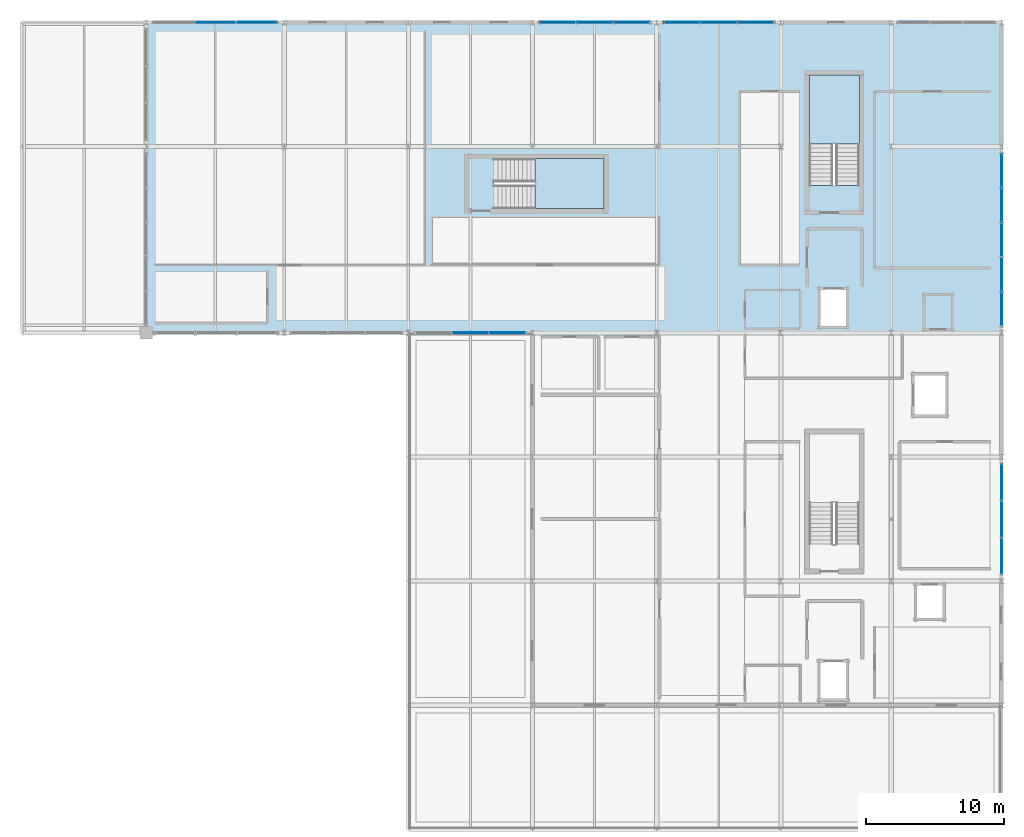
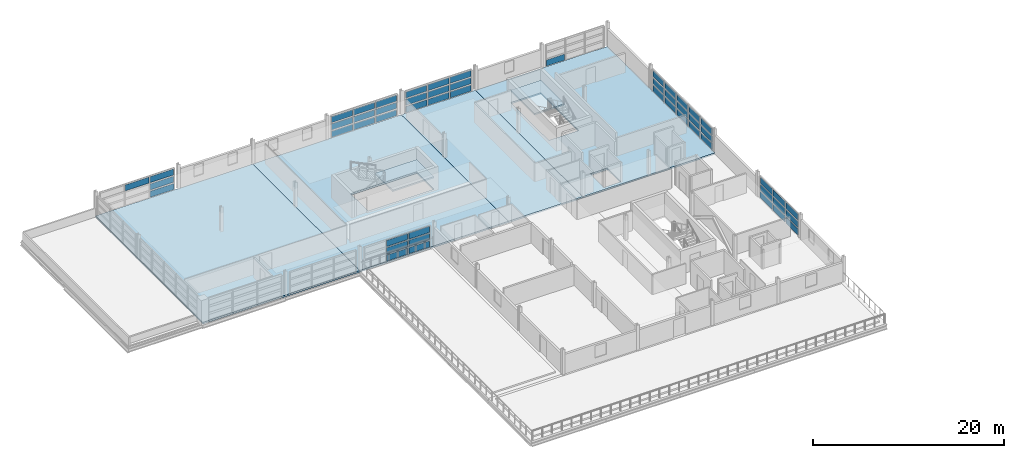
# One storey, part 20 of 30: 53 plates, 6 slabs, 9 elements without a shape of their own.
"""IFC4 building model written with IfcOpenShell, lengths in metres."""

from ifc_helpers import new_model, si_unit, direction, frame, origin, origin_2d, place, context, subcontext, project, spatial, polyline, rectangle, outline, extrude, material, layer, layer_set, type_object, element, aggregate, save


model = new_model("IFC4")

# Units and contexts
model_context = context("Model", 3, precision=1e-05, world=origin(), true_north=direction((0.0, 1.0)))
body_context = subcontext(model_context, "Body", "Model", "MODEL_VIEW")
ifc_project = project(units=[si_unit("LENGTHUNIT", "METRE"), si_unit("AREAUNIT", "SQUARE_METRE"), si_unit("VOLUMEUNIT", "CUBIC_METRE"), si_unit("PLANEANGLEUNIT", "RADIAN"), si_unit("MASSUNIT", "GRAM", prefix="KILO")], contexts=[model_context])

# Site, building, storey
site_placement = place(None, origin())
site = spatial("IfcSite", under=ifc_project, at=site_placement, CompositionType="ELEMENT")
building_placement = place(site_placement, origin())
building = spatial("IfcBuilding", under=site, at=building_placement, Name="Chuanluo Vaults Station", CompositionType="ELEMENT")
storey_placement = place(building_placement, frame((0.0, 0.0, 17.60009765625)))
storey = spatial("IfcBuildingStorey", under=building, at=storey_placement, Name="L04", CompositionType="ELEMENT", Elevation=17.60009765625)

# Curtain wall, plates
ifc_material_1 = material(Name="Anodised aluminium 6063-T6", Category="aluminium")
curtain_wall_type_1 = type_object("IfcCurtainWallType", Name="CW-SYS-11", PredefinedType="NOTDEFINED", material=ifc_material_1)
curtain_wall_1_placement = place(storey_placement, origin())
curtain_wall_1 = element("IfcCurtainWall", 1, at=curtain_wall_1_placement, inside=storey, type_object=curtain_wall_type_1, Name="Operations L04 facade CW", PredefinedType="NOTDEFINED")
ifc_material_2 = material(Name="Ceramic-fritted spandrel glass", Category="glass")
ifc_layer_1 = layer(ifc_material_2, 0.06396484375)
ifc_layer_set_1 = layer_set([ifc_layer_1], Name="Ceramic-fritted spandrel glass")
plate_type_1 = type_object("IfcPlateType", Name="CWP-SPN-42", PredefinedType="SHEET", material=ifc_layer_set_1)
plate_1_placement = place(storey_placement, frame((152.183349609375, 103.5, 0.080078125), z_axis=(0.0, 0.0, 1.0), x_axis=(-1.0, 0.0, 0.0)))
plate_1 = element("IfcPlate", 2, at=plate_1_placement, type_object=plate_type_1, Name="Operations L04 facade CW glazed panel 1.1", PredefinedType="SHEET", context=body_context, shape_type="SweptSolid", body=[
    extrude(rectangle(XDim=2.523193359375, YDim=0.06396484375, at=origin_2d()), origin(), (0.0, 0.0, 1.0), 0.773193359375),
])
plate_2_placement = place(storey_placement, frame((149.5, 103.5, 0.080078125), z_axis=(0.0, 0.0, 1.0), x_axis=(-1.0, 0.0, 0.0)))
plate_2 = element("IfcPlate", 3, at=plate_2_placement, type_object=plate_type_1, Name="Operations L04 facade CW glazed panel 2.1", PredefinedType="SHEET", context=body_context, shape_type="SweptSolid", body=[
    extrude(rectangle(XDim=2.523193359375, YDim=0.06396484375, at=origin_2d()), origin(), (0.0, 0.0, 1.0), 0.773193359375),
])

ifc_material_3 = material(Name="Anodised aluminium 6063-T6", Category="aluminium")
curtain_wall_type_2 = type_object("IfcCurtainWallType", Name="CW-SYS-17", PredefinedType="NOTDEFINED", material=ifc_material_3)
curtain_wall_2_placement = place(storey_placement, origin())
curtain_wall_2 = element("IfcCurtainWall", 4, at=curtain_wall_2_placement, inside=storey, type_object=curtain_wall_type_2, Name="Operations L04 facade CW", PredefinedType="NOTDEFINED")
plate_3_placement = place(storey_placement, frame((155.816650390625, 126.0, 0.080078125), z_axis=(0.0, 0.0, 1.0), x_axis=(1.0, 0.0, 0.0)))
plate_3 = element("IfcPlate", 5, at=plate_3_placement, type_object=plate_type_1, Name="Operations L04 facade CW glazed panel 1.1", PredefinedType="SHEET", context=body_context, shape_type="SweptSolid", body=[
    extrude(rectangle(XDim=2.523193359375, YDim=0.06396484375, at=origin_2d()), origin(), (0.0, 0.0, 1.0), 0.773193359375),
])
plate_4_placement = place(storey_placement, frame((158.5, 126.0, 0.080078125), z_axis=(0.0, 0.0, 1.0), x_axis=(1.0, 0.0, 0.0)))
plate_4 = element("IfcPlate", 6, at=plate_4_placement, type_object=plate_type_1, Name="Operations L04 facade CW glazed panel 2.1", PredefinedType="SHEET", context=body_context, shape_type="SweptSolid", body=[
    extrude(rectangle(XDim=2.523193359375, YDim=0.06396484375, at=origin_2d()), origin(), (0.0, 0.0, 1.0), 0.773193359375),
])
plate_5_placement = place(storey_placement, frame((161.183349609375, 126.0, 0.080078125), z_axis=(0.0, 0.0, 1.0), x_axis=(1.0, 0.0, 0.0)))
plate_5 = element("IfcPlate", 7, at=plate_5_placement, type_object=plate_type_1, Name="Operations L04 facade CW glazed panel 3.1", PredefinedType="SHEET", context=body_context, shape_type="SweptSolid", body=[
    extrude(rectangle(XDim=2.523193359375, YDim=0.06396484375, at=origin_2d()), origin(), (0.0, 0.0, 1.0), 0.773193359375),
])

# Curtain wall, plate
ifc_material_4 = material(Name="Anodised aluminium 6063-T6", Category="aluminium")
curtain_wall_type_3 = type_object("IfcCurtainWallType", Name="CW-SYS-19", PredefinedType="NOTDEFINED", material=ifc_material_4)
curtain_wall_3_placement = place(storey_placement, origin())
curtain_wall_3 = element("IfcCurtainWall", 8, at=curtain_wall_3_placement, inside=storey, type_object=curtain_wall_type_3, Name="Operations L04 facade CW", PredefinedType="NOTDEFINED")
plate_6_placement = place(storey_placement, frame((181.64990234375, 126.0, 0.080078125), z_axis=(0.0, 0.0, 1.0), x_axis=(1.0, 0.0, 0.0)))
plate_6 = element("IfcPlate", 9, at=plate_6_placement, type_object=plate_type_1, Name="Operations L04 facade CW glazed panel 1.1", PredefinedType="SHEET", context=body_context, shape_type="SweptSolid", body=[
    extrude(rectangle(XDim=2.18994140625, YDim=0.06396484375, at=origin_2d()), origin(), (0.0, 0.0, 1.0), 0.773193359375),
])
aggregate(curtain_wall_3, [plate_6])

# Curtain wall, plates
ifc_material_5 = material(Name="Anodised aluminium 6063-T6", Category="aluminium")
curtain_wall_type_4 = type_object("IfcCurtainWallType", Name="CW-SYS-21", PredefinedType="NOTDEFINED", material=ifc_material_5)
curtain_wall_4_placement = place(storey_placement, origin())
curtain_wall_4 = element("IfcCurtainWall", 10, at=curtain_wall_4_placement, inside=storey, type_object=curtain_wall_type_4, Name="Operations L04 facade CW", PredefinedType="NOTDEFINED")
plate_7_placement = place(storey_placement, frame((188.0, 115.27001953125, 0.080078125), z_axis=(0.0, 0.0, 1.0), x_axis=(0.0, -1.0, 0.0)))
plate_7 = element("IfcPlate", 11, at=plate_7_placement, type_object=plate_type_1, Name="Operations L04 facade CW glazed panel 1.1", PredefinedType="SHEET", context=body_context, shape_type="SweptSolid", body=[
    extrude(rectangle(XDim=2.35009765625, YDim=0.06396484375, at=origin_2d()), origin(), (0.0, 0.0, 1.0), 0.773193359375),
])
plate_8_placement = place(storey_placement, frame((188.0, 112.760009765625, 0.080078125), z_axis=(0.0, 0.0, 1.0), x_axis=(0.0, -1.0, 0.0)))
plate_8 = element("IfcPlate", 12, at=plate_8_placement, type_object=plate_type_1, Name="Operations L04 facade CW glazed panel 2.1", PredefinedType="SHEET", context=body_context, shape_type="SweptSolid", body=[
    extrude(rectangle(XDim=2.35009765625, YDim=0.06396484375, at=origin_2d()), origin(), (0.0, 0.0, 1.0), 0.773193359375),
])
plate_9_placement = place(storey_placement, frame((188.0, 110.25, 0.080078125), z_axis=(0.0, 0.0, 1.0), x_axis=(0.0, -1.0, 0.0)))
plate_9 = element("IfcPlate", 13, at=plate_9_placement, type_object=plate_type_1, Name="Operations L04 facade CW glazed panel 3.1", PredefinedType="SHEET", context=body_context, shape_type="SweptSolid", body=[
    extrude(rectangle(XDim=2.35009765625, YDim=0.06396484375, at=origin_2d()), origin(), (0.0, 0.0, 1.0), 0.773193359375),
])
plate_10_placement = place(storey_placement, frame((188.0, 107.739990234375, 0.080078125), z_axis=(0.0, 0.0, 1.0), x_axis=(0.0, -1.0, 0.0)))
plate_10 = element("IfcPlate", 14, at=plate_10_placement, type_object=plate_type_1, Name="Operations L04 facade CW glazed panel 4.1", PredefinedType="SHEET", context=body_context, shape_type="SweptSolid", body=[
    extrude(rectangle(XDim=2.35009765625, YDim=0.06396484375, at=origin_2d()), origin(), (0.0, 0.0, 1.0), 0.773193359375),
])
plate_11_placement = place(storey_placement, frame((188.0, 105.22998046875, 0.080078125), z_axis=(0.0, 0.0, 1.0), x_axis=(0.0, -1.0, 0.0)))
plate_11 = element("IfcPlate", 15, at=plate_11_placement, type_object=plate_type_1, Name="Operations L04 facade CW glazed panel 5.1", PredefinedType="SHEET", context=body_context, shape_type="SweptSolid", body=[
    extrude(rectangle(XDim=2.35009765625, YDim=0.06396484375, at=origin_2d()), origin(), (0.0, 0.0, 1.0), 0.773193359375),
])

# Curtain wall, plate
ifc_material_6 = material(Name="Anodised aluminium 6063-T6", Category="aluminium")
curtain_wall_type_5 = type_object("IfcCurtainWallType", Name="CW-SYS-16", PredefinedType="NOTDEFINED", material=ifc_material_6)
curtain_wall_5_placement = place(storey_placement, origin())
curtain_wall_5 = element("IfcCurtainWall", 16, at=curtain_wall_5_placement, inside=storey, type_object=curtain_wall_type_5, Name="Operations L04 facade CW", PredefinedType="NOTDEFINED")
ifc_material_7 = material(Name="Ceramic-fritted spandrel glass", Category="glass")
ifc_layer_2 = layer(ifc_material_7, 0.070068359375)
ifc_layer_set_2 = layer_set([ifc_layer_2], Name="Ceramic-fritted spandrel glass")
plate_type_2 = type_object("IfcPlateType", Name="CWP-SPN-50", PredefinedType="SHEET", material=ifc_layer_set_2)
plate_12_placement = place(storey_placement, frame((134.0166015625, 126.0, 0.080078125), z_axis=(0.0, 0.0, 1.0), x_axis=(1.0, 0.0, 0.0)))
plate_12 = element("IfcPlate", 17, at=plate_12_placement, type_object=plate_type_2, Name="Operations L04 facade CW glazed panel 3.1", PredefinedType="SHEET", context=body_context, shape_type="SweptSolid", body=[
    extrude(rectangle(XDim=2.856689453125, YDim=0.070068359375, at=origin_2d()), origin(), (0.0, 0.0, 1.0), 0.773193359375),
])

# Curtain wall, plates
ifc_material_8 = material(Name="Anodised aluminium 6063-T6", Category="aluminium")
curtain_wall_type_6 = type_object("IfcCurtainWallType", Name="CW-SYS-18", PredefinedType="NOTDEFINED", material=ifc_material_8)
curtain_wall_6_placement = place(storey_placement, origin())
curtain_wall_6 = element("IfcCurtainWall", 18, at=curtain_wall_6_placement, inside=storey, type_object=curtain_wall_type_6, Name="Operations L04 facade CW", PredefinedType="NOTDEFINED")
plate_13_placement = place(storey_placement, frame((164.816650390625, 126.0, 0.080078125), z_axis=(0.0, 0.0, 1.0), x_axis=(1.0, 0.0, 0.0)))
plate_13 = element("IfcPlate", 19, at=plate_13_placement, type_object=plate_type_2, Name="Operations L04 facade CW glazed panel 1.1", PredefinedType="SHEET", context=body_context, shape_type="SweptSolid", body=[
    extrude(rectangle(XDim=2.523193359375, YDim=0.070068359375, at=origin_2d()), origin(), (0.0, 0.0, 1.0), 0.773193359375),
])
plate_14_placement = place(storey_placement, frame((167.5, 126.0, 0.080078125), z_axis=(0.0, 0.0, 1.0), x_axis=(1.0, 0.0, 0.0)))
plate_14 = element("IfcPlate", 20, at=plate_14_placement, type_object=plate_type_2, Name="Operations L04 facade CW glazed panel 2.1", PredefinedType="SHEET", context=body_context, shape_type="SweptSolid", body=[
    extrude(rectangle(XDim=2.523193359375, YDim=0.070068359375, at=origin_2d()), origin(), (0.0, 0.0, 1.0), 0.773193359375),
])
plate_15_placement = place(storey_placement, frame((170.183349609375, 126.0, 0.080078125), z_axis=(0.0, 0.0, 1.0), x_axis=(1.0, 0.0, 0.0)))
plate_15 = element("IfcPlate", 21, at=plate_15_placement, type_object=plate_type_2, Name="Operations L04 facade CW glazed panel 3.1", PredefinedType="SHEET", context=body_context, shape_type="SweptSolid", body=[
    extrude(rectangle(XDim=2.523193359375, YDim=0.070068359375, at=origin_2d()), origin(), (0.0, 0.0, 1.0), 0.773193359375),
])

ifc_material_9 = material(Name="Anodised aluminium 6063-T6", Category="aluminium")
curtain_wall_type_7 = type_object("IfcCurtainWallType", Name="CW-SYS-20", PredefinedType="NOTDEFINED", material=ifc_material_9)
curtain_wall_7_placement = place(storey_placement, origin())
curtain_wall_7 = element("IfcCurtainWall", 22, at=curtain_wall_7_placement, inside=storey, type_object=curtain_wall_type_7, Name="Operations L04 facade CW", PredefinedType="NOTDEFINED")
plate_16_placement = place(storey_placement, frame((188.0, 92.683349609375, 0.080078125), z_axis=(0.0, 0.0, 1.0), x_axis=(0.0, -1.0, 0.0)))
plate_16 = element("IfcPlate", 23, at=plate_16_placement, type_object=plate_type_2, Name="Operations L04 facade CW glazed panel 1.1", PredefinedType="SHEET", context=body_context, shape_type="SweptSolid", body=[
    extrude(rectangle(XDim=2.523193359375, YDim=0.070068359375, at=origin_2d()), origin(), (0.0, 0.0, 1.0), 0.773193359375),
])
plate_17_placement = place(storey_placement, frame((188.0, 90.0, 0.080078125), z_axis=(0.0, 0.0, 1.0), x_axis=(0.0, -1.0, 0.0)))
plate_17 = element("IfcPlate", 24, at=plate_17_placement, type_object=plate_type_2, Name="Operations L04 facade CW glazed panel 2.1", PredefinedType="SHEET", context=body_context, shape_type="SweptSolid", body=[
    extrude(rectangle(XDim=2.523193359375, YDim=0.070068359375, at=origin_2d()), origin(), (0.0, 0.0, 1.0), 0.773193359375),
])
plate_18_placement = place(storey_placement, frame((188.0, 87.316650390625, 0.080078125), z_axis=(0.0, 0.0, 1.0), x_axis=(0.0, -1.0, 0.0)))
plate_18 = element("IfcPlate", 25, at=plate_18_placement, type_object=plate_type_2, Name="Operations L04 facade CW glazed panel 3.1", PredefinedType="SHEET", context=body_context, shape_type="SweptSolid", body=[
    extrude(rectangle(XDim=2.523193359375, YDim=0.070068359375, at=origin_2d()), origin(), (0.0, 0.0, 1.0), 0.773193359375),
])

# Plate
ifc_material_10 = material(Name="Double-silver Low-E laminated glass", Category="glass")
ifc_layer_3 = layer(ifc_material_10, 0.0439453125)
ifc_layer_set_3 = layer_set([ifc_layer_3], Name="Double-silver Low-E laminated glass")
plate_type_3 = type_object("IfcPlateType", Name="CWP-VIS-28", PredefinedType="CURTAIN_PANEL", material=ifc_layer_set_3)
plate_19_placement = place(storey_placement, frame((131.0, 126.0, 1.94677734375), z_axis=(0.0, 0.0, 1.0), x_axis=(1.0, 0.0, 0.0)))
plate_19 = element("IfcPlate", 26, at=plate_19_placement, type_object=plate_type_3, Name="Operations L04 facade CW glazed panel 2.3", PredefinedType="CURTAIN_PANEL", context=body_context, shape_type="SweptSolid", body=[
    extrude(rectangle(XDim=2.856689453125, YDim=0.0439453125, at=origin_2d()), origin(), (0.0, 0.0, 1.0), 0.773193359375),
])

plate_20_placement = place(storey_placement, frame((134.0166015625, 126.0, 1.01318359375), z_axis=(0.0, 0.0, 1.0), x_axis=(1.0, 0.0, 0.0)))
plate_20 = element("IfcPlate", 27, at=plate_20_placement, type_object=plate_type_3, Name="Operations L04 facade CW glazed panel 3.2", PredefinedType="CURTAIN_PANEL", context=body_context, shape_type="SweptSolid", body=[
    extrude(rectangle(XDim=2.856689453125, YDim=0.0439453125, at=origin_2d()), origin(), (0.0, 0.0, 1.0), 0.7734375),
])

plate_21_placement = place(storey_placement, frame((134.0166015625, 126.0, 1.94677734375), z_axis=(0.0, 0.0, 1.0), x_axis=(1.0, 0.0, 0.0)))
plate_21 = element("IfcPlate", 28, at=plate_21_placement, type_object=plate_type_3, Name="Operations L04 facade CW glazed panel 3.3", PredefinedType="CURTAIN_PANEL", context=body_context, shape_type="SweptSolid", body=[
    extrude(rectangle(XDim=2.856689453125, YDim=0.0439453125, at=origin_2d()), origin(), (0.0, 0.0, 1.0), 0.773193359375),
])

aggregate(curtain_wall_5, [plate_19, plate_12, plate_20, plate_21])

plate_22_placement = place(storey_placement, frame((188.0, 92.683349609375, 1.01318359375), z_axis=(0.0, 0.0, 1.0), x_axis=(0.0, -1.0, 0.0)))
plate_22 = element("IfcPlate", 29, at=plate_22_placement, type_object=plate_type_3, Name="Operations L04 facade CW glazed panel 1.2", PredefinedType="CURTAIN_PANEL", context=body_context, shape_type="SweptSolid", body=[
    extrude(rectangle(XDim=2.523193359375, YDim=0.0439453125, at=origin_2d()), origin(), (0.0, 0.0, 1.0), 0.7734375),
])

plate_23_placement = place(storey_placement, frame((188.0, 92.683349609375, 1.94677734375), z_axis=(0.0, 0.0, 1.0), x_axis=(0.0, -1.0, 0.0)))
plate_23 = element("IfcPlate", 30, at=plate_23_placement, type_object=plate_type_3, Name="Operations L04 facade CW glazed panel 1.3", PredefinedType="CURTAIN_PANEL", context=body_context, shape_type="SweptSolid", body=[
    extrude(rectangle(XDim=2.523193359375, YDim=0.0439453125, at=origin_2d()), origin(), (0.0, 0.0, 1.0), 0.773193359375),
])

plate_24_placement = place(storey_placement, frame((188.0, 90.0, 1.01318359375), z_axis=(0.0, 0.0, 1.0), x_axis=(0.0, -1.0, 0.0)))
plate_24 = element("IfcPlate", 31, at=plate_24_placement, type_object=plate_type_3, Name="Operations L04 facade CW glazed panel 2.2", PredefinedType="CURTAIN_PANEL", context=body_context, shape_type="SweptSolid", body=[
    extrude(rectangle(XDim=2.523193359375, YDim=0.0439453125, at=origin_2d()), origin(), (0.0, 0.0, 1.0), 0.7734375),
])

plate_25_placement = place(storey_placement, frame((188.0, 90.0, 1.94677734375), z_axis=(0.0, 0.0, 1.0), x_axis=(0.0, -1.0, 0.0)))
plate_25 = element("IfcPlate", 32, at=plate_25_placement, type_object=plate_type_3, Name="Operations L04 facade CW glazed panel 2.3", PredefinedType="CURTAIN_PANEL", context=body_context, shape_type="SweptSolid", body=[
    extrude(rectangle(XDim=2.523193359375, YDim=0.0439453125, at=origin_2d()), origin(), (0.0, 0.0, 1.0), 0.773193359375),
])

plate_26_placement = place(storey_placement, frame((188.0, 87.316650390625, 1.01318359375), z_axis=(0.0, 0.0, 1.0), x_axis=(0.0, -1.0, 0.0)))
plate_26 = element("IfcPlate", 33, at=plate_26_placement, type_object=plate_type_3, Name="Operations L04 facade CW glazed panel 3.2", PredefinedType="CURTAIN_PANEL", context=body_context, shape_type="SweptSolid", body=[
    extrude(rectangle(XDim=2.523193359375, YDim=0.0439453125, at=origin_2d()), origin(), (0.0, 0.0, 1.0), 0.7734375),
])

plate_27_placement = place(storey_placement, frame((188.0, 87.316650390625, 1.94677734375), z_axis=(0.0, 0.0, 1.0), x_axis=(0.0, -1.0, 0.0)))
plate_27 = element("IfcPlate", 34, at=plate_27_placement, type_object=plate_type_3, Name="Operations L04 facade CW glazed panel 3.3", PredefinedType="CURTAIN_PANEL", context=body_context, shape_type="SweptSolid", body=[
    extrude(rectangle(XDim=2.523193359375, YDim=0.0439453125, at=origin_2d()), origin(), (0.0, 0.0, 1.0), 0.773193359375),
])

aggregate(curtain_wall_7, [plate_16, plate_22, plate_23, plate_17, plate_24, plate_25, plate_18, plate_26, plate_27])

ifc_material_11 = material(Name="Double-silver Low-E laminated glass", Category="glass")
ifc_layer_4 = layer(ifc_material_11, 0.048095703125)
ifc_layer_set_4 = layer_set([ifc_layer_4], Name="Double-silver Low-E laminated glass")
plate_type_4 = type_object("IfcPlateType", Name="CWP-VIS-32", PredefinedType="CURTAIN_PANEL", material=ifc_layer_set_4)
plate_28_placement = place(storey_placement, frame((152.183349609375, 103.5, 1.01318359375), z_axis=(0.0, 0.0, 1.0), x_axis=(-1.0, 0.0, 0.0)))
plate_28 = element("IfcPlate", 35, at=plate_28_placement, type_object=plate_type_4, Name="Operations L04 facade CW glazed panel 1.2", PredefinedType="CURTAIN_PANEL", context=body_context, shape_type="SweptSolid", body=[
    extrude(rectangle(XDim=2.523193359375, YDim=0.048095703125, at=origin_2d()), origin(), (0.0, 0.0, 1.0), 0.7734375),
])

plate_29_placement = place(storey_placement, frame((152.183349609375, 103.5, 1.94677734375), z_axis=(0.0, 0.0, 1.0), x_axis=(-1.0, 0.0, 0.0)))
plate_29 = element("IfcPlate", 36, at=plate_29_placement, type_object=plate_type_4, Name="Operations L04 facade CW glazed panel 1.3", PredefinedType="CURTAIN_PANEL", context=body_context, shape_type="SweptSolid", body=[
    extrude(rectangle(XDim=2.523193359375, YDim=0.048095703125, at=origin_2d()), origin(), (0.0, 0.0, 1.0), 0.773193359375),
])

plate_30_placement = place(storey_placement, frame((149.5, 103.5, 1.01318359375), z_axis=(0.0, 0.0, 1.0), x_axis=(-1.0, 0.0, 0.0)))
plate_30 = element("IfcPlate", 37, at=plate_30_placement, type_object=plate_type_4, Name="Operations L04 facade CW glazed panel 2.2", PredefinedType="CURTAIN_PANEL", context=body_context, shape_type="SweptSolid", body=[
    extrude(rectangle(XDim=2.523193359375, YDim=0.048095703125, at=origin_2d()), origin(), (0.0, 0.0, 1.0), 0.7734375),
])

plate_31_placement = place(storey_placement, frame((149.5, 103.5, 1.94677734375), z_axis=(0.0, 0.0, 1.0), x_axis=(-1.0, 0.0, 0.0)))
plate_31 = element("IfcPlate", 38, at=plate_31_placement, type_object=plate_type_4, Name="Operations L04 facade CW glazed panel 2.3", PredefinedType="CURTAIN_PANEL", context=body_context, shape_type="SweptSolid", body=[
    extrude(rectangle(XDim=2.523193359375, YDim=0.048095703125, at=origin_2d()), origin(), (0.0, 0.0, 1.0), 0.773193359375),
])

aggregate(curtain_wall_1, [plate_1, plate_28, plate_29, plate_2, plate_30, plate_31])

ifc_material_12 = material(Name="Double-silver Low-E laminated glass", Category="glass")
ifc_layer_5 = layer(ifc_material_12, 0.053955078125)
ifc_layer_set_5 = layer_set([ifc_layer_5], Name="Double-silver Low-E laminated glass")
plate_type_5 = type_object("IfcPlateType", Name="CWP-VIS-36", PredefinedType="CURTAIN_PANEL", material=ifc_layer_set_5)
plate_32_placement = place(storey_placement, frame((164.816650390625, 126.0, 1.01318359375), z_axis=(0.0, 0.0, 1.0), x_axis=(1.0, 0.0, 0.0)))
plate_32 = element("IfcPlate", 39, at=plate_32_placement, type_object=plate_type_5, Name="Operations L04 facade CW glazed panel 1.2", PredefinedType="CURTAIN_PANEL", context=body_context, shape_type="SweptSolid", body=[
    extrude(rectangle(XDim=2.523193359375, YDim=0.053955078125, at=origin_2d()), origin(), (0.0, 0.0, 1.0), 0.7734375),
])

plate_33_placement = place(storey_placement, frame((164.816650390625, 126.0, 1.94677734375), z_axis=(0.0, 0.0, 1.0), x_axis=(1.0, 0.0, 0.0)))
plate_33 = element("IfcPlate", 40, at=plate_33_placement, type_object=plate_type_5, Name="Operations L04 facade CW glazed panel 1.3", PredefinedType="CURTAIN_PANEL", context=body_context, shape_type="SweptSolid", body=[
    extrude(rectangle(XDim=2.523193359375, YDim=0.053955078125, at=origin_2d()), origin(), (0.0, 0.0, 1.0), 0.773193359375),
])

plate_34_placement = place(storey_placement, frame((167.5, 126.0, 1.01318359375), z_axis=(0.0, 0.0, 1.0), x_axis=(1.0, 0.0, 0.0)))
plate_34 = element("IfcPlate", 41, at=plate_34_placement, type_object=plate_type_5, Name="Operations L04 facade CW glazed panel 2.2", PredefinedType="CURTAIN_PANEL", context=body_context, shape_type="SweptSolid", body=[
    extrude(rectangle(XDim=2.523193359375, YDim=0.053955078125, at=origin_2d()), origin(), (0.0, 0.0, 1.0), 0.7734375),
])

plate_35_placement = place(storey_placement, frame((167.5, 126.0, 1.94677734375), z_axis=(0.0, 0.0, 1.0), x_axis=(1.0, 0.0, 0.0)))
plate_35 = element("IfcPlate", 42, at=plate_35_placement, type_object=plate_type_5, Name="Operations L04 facade CW glazed panel 2.3", PredefinedType="CURTAIN_PANEL", context=body_context, shape_type="SweptSolid", body=[
    extrude(rectangle(XDim=2.523193359375, YDim=0.053955078125, at=origin_2d()), origin(), (0.0, 0.0, 1.0), 0.773193359375),
])

plate_36_placement = place(storey_placement, frame((170.183349609375, 126.0, 1.01318359375), z_axis=(0.0, 0.0, 1.0), x_axis=(1.0, 0.0, 0.0)))
plate_36 = element("IfcPlate", 43, at=plate_36_placement, type_object=plate_type_5, Name="Operations L04 facade CW glazed panel 3.2", PredefinedType="CURTAIN_PANEL", context=body_context, shape_type="SweptSolid", body=[
    extrude(rectangle(XDim=2.523193359375, YDim=0.053955078125, at=origin_2d()), origin(), (0.0, 0.0, 1.0), 0.7734375),
])

plate_37_placement = place(storey_placement, frame((170.183349609375, 126.0, 1.94677734375), z_axis=(0.0, 0.0, 1.0), x_axis=(1.0, 0.0, 0.0)))
plate_37 = element("IfcPlate", 44, at=plate_37_placement, type_object=plate_type_5, Name="Operations L04 facade CW glazed panel 3.3", PredefinedType="CURTAIN_PANEL", context=body_context, shape_type="SweptSolid", body=[
    extrude(rectangle(XDim=2.523193359375, YDim=0.053955078125, at=origin_2d()), origin(), (0.0, 0.0, 1.0), 0.773193359375),
])

aggregate(curtain_wall_6, [plate_13, plate_32, plate_33, plate_14, plate_34, plate_35, plate_15, plate_36, plate_37])

ifc_material_13 = material(Name="Double-silver Low-E laminated glass", Category="glass")
ifc_layer_6 = layer(ifc_material_13, 0.05810546875)
ifc_layer_set_6 = layer_set([ifc_layer_6], Name="Double-silver Low-E laminated glass")
plate_type_6 = type_object("IfcPlateType", Name="CWP-VIS-38", PredefinedType="CURTAIN_PANEL", material=ifc_layer_set_6)
plate_38_placement = place(storey_placement, frame((155.816650390625, 126.0, 1.01318359375), z_axis=(0.0, 0.0, 1.0), x_axis=(1.0, 0.0, 0.0)))
plate_38 = element("IfcPlate", 45, at=plate_38_placement, type_object=plate_type_6, Name="Operations L04 facade CW glazed panel 1.2", PredefinedType="CURTAIN_PANEL", context=body_context, shape_type="SweptSolid", body=[
    extrude(rectangle(XDim=2.523193359375, YDim=0.05810546875, at=origin_2d()), origin(), (0.0, 0.0, 1.0), 0.7734375),
])

plate_39_placement = place(storey_placement, frame((155.816650390625, 126.0, 1.94677734375), z_axis=(0.0, 0.0, 1.0), x_axis=(1.0, 0.0, 0.0)))
plate_39 = element("IfcPlate", 46, at=plate_39_placement, type_object=plate_type_6, Name="Operations L04 facade CW glazed panel 1.3", PredefinedType="CURTAIN_PANEL", context=body_context, shape_type="SweptSolid", body=[
    extrude(rectangle(XDim=2.523193359375, YDim=0.05810546875, at=origin_2d()), origin(), (0.0, 0.0, 1.0), 0.773193359375),
])

plate_40_placement = place(storey_placement, frame((158.5, 126.0, 1.01318359375), z_axis=(0.0, 0.0, 1.0), x_axis=(1.0, 0.0, 0.0)))
plate_40 = element("IfcPlate", 47, at=plate_40_placement, type_object=plate_type_6, Name="Operations L04 facade CW glazed panel 2.2", PredefinedType="CURTAIN_PANEL", context=body_context, shape_type="SweptSolid", body=[
    extrude(rectangle(XDim=2.523193359375, YDim=0.05810546875, at=origin_2d()), origin(), (0.0, 0.0, 1.0), 0.7734375),
])

plate_41_placement = place(storey_placement, frame((158.5, 126.0, 1.94677734375), z_axis=(0.0, 0.0, 1.0), x_axis=(1.0, 0.0, 0.0)))
plate_41 = element("IfcPlate", 48, at=plate_41_placement, type_object=plate_type_6, Name="Operations L04 facade CW glazed panel 2.3", PredefinedType="CURTAIN_PANEL", context=body_context, shape_type="SweptSolid", body=[
    extrude(rectangle(XDim=2.523193359375, YDim=0.05810546875, at=origin_2d()), origin(), (0.0, 0.0, 1.0), 0.773193359375),
])

plate_42_placement = place(storey_placement, frame((161.183349609375, 126.0, 1.01318359375), z_axis=(0.0, 0.0, 1.0), x_axis=(1.0, 0.0, 0.0)))
plate_42 = element("IfcPlate", 49, at=plate_42_placement, type_object=plate_type_6, Name="Operations L04 facade CW glazed panel 3.2", PredefinedType="CURTAIN_PANEL", context=body_context, shape_type="SweptSolid", body=[
    extrude(rectangle(XDim=2.523193359375, YDim=0.05810546875, at=origin_2d()), origin(), (0.0, 0.0, 1.0), 0.7734375),
])

plate_43_placement = place(storey_placement, frame((161.183349609375, 126.0, 1.94677734375), z_axis=(0.0, 0.0, 1.0), x_axis=(1.0, 0.0, 0.0)))
plate_43 = element("IfcPlate", 50, at=plate_43_placement, type_object=plate_type_6, Name="Operations L04 facade CW glazed panel 3.3", PredefinedType="CURTAIN_PANEL", context=body_context, shape_type="SweptSolid", body=[
    extrude(rectangle(XDim=2.523193359375, YDim=0.05810546875, at=origin_2d()), origin(), (0.0, 0.0, 1.0), 0.773193359375),
])

aggregate(curtain_wall_2, [plate_3, plate_38, plate_39, plate_4, plate_40, plate_41, plate_5, plate_42, plate_43])

plate_44_placement = place(storey_placement, frame((188.0, 115.27001953125, 1.01318359375), z_axis=(0.0, 0.0, 1.0), x_axis=(0.0, -1.0, 0.0)))
plate_44 = element("IfcPlate", 51, at=plate_44_placement, type_object=plate_type_6, Name="Operations L04 facade CW glazed panel 1.2", PredefinedType="CURTAIN_PANEL", context=body_context, shape_type="SweptSolid", body=[
    extrude(rectangle(XDim=2.35009765625, YDim=0.05810546875, at=origin_2d()), origin(), (0.0, 0.0, 1.0), 0.7734375),
])

plate_45_placement = place(storey_placement, frame((188.0, 115.27001953125, 1.94677734375), z_axis=(0.0, 0.0, 1.0), x_axis=(0.0, -1.0, 0.0)))
plate_45 = element("IfcPlate", 52, at=plate_45_placement, type_object=plate_type_6, Name="Operations L04 facade CW glazed panel 1.3", PredefinedType="CURTAIN_PANEL", context=body_context, shape_type="SweptSolid", body=[
    extrude(rectangle(XDim=2.35009765625, YDim=0.05810546875, at=origin_2d()), origin(), (0.0, 0.0, 1.0), 0.773193359375),
])

plate_46_placement = place(storey_placement, frame((188.0, 112.760009765625, 1.01318359375), z_axis=(0.0, 0.0, 1.0), x_axis=(0.0, -1.0, 0.0)))
plate_46 = element("IfcPlate", 53, at=plate_46_placement, type_object=plate_type_6, Name="Operations L04 facade CW glazed panel 2.2", PredefinedType="CURTAIN_PANEL", context=body_context, shape_type="SweptSolid", body=[
    extrude(rectangle(XDim=2.35009765625, YDim=0.05810546875, at=origin_2d()), origin(), (0.0, 0.0, 1.0), 0.7734375),
])

plate_47_placement = place(storey_placement, frame((188.0, 112.760009765625, 1.94677734375), z_axis=(0.0, 0.0, 1.0), x_axis=(0.0, -1.0, 0.0)))
plate_47 = element("IfcPlate", 54, at=plate_47_placement, type_object=plate_type_6, Name="Operations L04 facade CW glazed panel 2.3", PredefinedType="CURTAIN_PANEL", context=body_context, shape_type="SweptSolid", body=[
    extrude(rectangle(XDim=2.35009765625, YDim=0.05810546875, at=origin_2d()), origin(), (0.0, 0.0, 1.0), 0.773193359375),
])

plate_48_placement = place(storey_placement, frame((188.0, 110.25, 1.01318359375), z_axis=(0.0, 0.0, 1.0), x_axis=(0.0, -1.0, 0.0)))
plate_48 = element("IfcPlate", 55, at=plate_48_placement, type_object=plate_type_6, Name="Operations L04 facade CW glazed panel 3.2", PredefinedType="CURTAIN_PANEL", context=body_context, shape_type="SweptSolid", body=[
    extrude(rectangle(XDim=2.35009765625, YDim=0.05810546875, at=origin_2d()), origin(), (0.0, 0.0, 1.0), 0.7734375),
])

plate_49_placement = place(storey_placement, frame((188.0, 110.25, 1.94677734375), z_axis=(0.0, 0.0, 1.0), x_axis=(0.0, -1.0, 0.0)))
plate_49 = element("IfcPlate", 56, at=plate_49_placement, type_object=plate_type_6, Name="Operations L04 facade CW glazed panel 3.3", PredefinedType="CURTAIN_PANEL", context=body_context, shape_type="SweptSolid", body=[
    extrude(rectangle(XDim=2.35009765625, YDim=0.05810546875, at=origin_2d()), origin(), (0.0, 0.0, 1.0), 0.773193359375),
])

plate_50_placement = place(storey_placement, frame((188.0, 107.739990234375, 1.01318359375), z_axis=(0.0, 0.0, 1.0), x_axis=(0.0, -1.0, 0.0)))
plate_50 = element("IfcPlate", 57, at=plate_50_placement, type_object=plate_type_6, Name="Operations L04 facade CW glazed panel 4.2", PredefinedType="CURTAIN_PANEL", context=body_context, shape_type="SweptSolid", body=[
    extrude(rectangle(XDim=2.35009765625, YDim=0.05810546875, at=origin_2d()), origin(), (0.0, 0.0, 1.0), 0.7734375),
])

plate_51_placement = place(storey_placement, frame((188.0, 107.739990234375, 1.94677734375), z_axis=(0.0, 0.0, 1.0), x_axis=(0.0, -1.0, 0.0)))
plate_51 = element("IfcPlate", 58, at=plate_51_placement, type_object=plate_type_6, Name="Operations L04 facade CW glazed panel 4.3", PredefinedType="CURTAIN_PANEL", context=body_context, shape_type="SweptSolid", body=[
    extrude(rectangle(XDim=2.35009765625, YDim=0.05810546875, at=origin_2d()), origin(), (0.0, 0.0, 1.0), 0.773193359375),
])

plate_52_placement = place(storey_placement, frame((188.0, 105.22998046875, 1.01318359375), z_axis=(0.0, 0.0, 1.0), x_axis=(0.0, -1.0, 0.0)))
plate_52 = element("IfcPlate", 59, at=plate_52_placement, type_object=plate_type_6, Name="Operations L04 facade CW glazed panel 5.2", PredefinedType="CURTAIN_PANEL", context=body_context, shape_type="SweptSolid", body=[
    extrude(rectangle(XDim=2.35009765625, YDim=0.05810546875, at=origin_2d()), origin(), (0.0, 0.0, 1.0), 0.7734375),
])

plate_53_placement = place(storey_placement, frame((188.0, 105.22998046875, 1.94677734375), z_axis=(0.0, 0.0, 1.0), x_axis=(0.0, -1.0, 0.0)))
plate_53 = element("IfcPlate", 60, at=plate_53_placement, type_object=plate_type_6, Name="Operations L04 facade CW glazed panel 5.3", PredefinedType="CURTAIN_PANEL", context=body_context, shape_type="SweptSolid", body=[
    extrude(rectangle(XDim=2.35009765625, YDim=0.05810546875, at=origin_2d()), origin(), (0.0, 0.0, 1.0), 0.773193359375),
])

aggregate(curtain_wall_4, [plate_7, plate_44, plate_45, plate_8, plate_46, plate_47, plate_9, plate_48, plate_49, plate_10, plate_50, plate_51, plate_11, plate_52, plate_53])

# Stair, slab
ifc_material_14 = material(Name="Concrete C40", Category="concrete")
stair_type = type_object("IfcStairType", Name="STR-TWO-1600", PredefinedType="HALF_TURN_STAIR", material=ifc_material_14)
stair_1_placement = place(storey_placement, origin())
stair_1 = element("IfcStair", 61, at=stair_1_placement, inside=storey, type_object=stair_type, Name="L04 ST-02", PredefinedType="HALF_TURN_STAIR")
ifc_material_15 = material(Name="Concrete C40", Category="concrete")
ifc_layer_7 = layer(ifc_material_15, 0.199951171875)
ifc_layer_set_7 = layer_set([ifc_layer_7], Name="Concrete C40")
slab_type_1 = type_object("IfcSlabType", Name="SLB-LND-200", PredefinedType="LANDING", material=ifc_layer_set_7)
slab_1_placement = place(storey_placement, frame((0.0, 0.0, 1.39990234375)))
slab_1 = element("IfcSlab", 62, at=slab_1_placement, type_object=slab_type_1, Name="ST-02 landing 1", PredefinedType="LANDING", context=body_context, shape_type="SweptSolid", body=[
    extrude(outline(polyline([(177.6875, 117.1875), (177.6875, 122.172607421875), (174.0673828125, 122.172607421875), (174.0673828125, 117.1875), (177.6875, 117.1875)])), origin(), (0.0, 0.0, 1.0), 0.199951171875),
])
aggregate(stair_1, [slab_1])

stair_2_placement = place(storey_placement, origin())
stair_2 = element("IfcStair", 63, at=stair_2_placement, inside=storey, type_object=stair_type, Name="L04 ST-03", PredefinedType="HALF_TURN_STAIR")
slab_2_placement = place(storey_placement, frame((0.0, 0.0, 1.39990234375)))
slab_2 = element("IfcSlab", 64, at=slab_2_placement, type_object=slab_type_1, Name="ST-03 landing 1", PredefinedType="LANDING", context=body_context, shape_type="SweptSolid", body=[
    extrude(outline(polyline([(154.1875, 112.5), (159.172607421875, 112.5), (159.172607421875, 116.1201171875), (154.1875, 116.1201171875), (154.1875, 112.5)])), origin(), (0.0, 0.0, 1.0), 0.199951171875),
])
aggregate(stair_2, [slab_2])

# Slabs
ifc_material_16 = material(Name="Concrete C40", Category="concrete")
ifc_layer_8 = layer(ifc_material_16, 0.199951171875)
ifc_layer_set_8 = layer_set([ifc_layer_8], Name="Concrete C40")
slab_type_2 = type_object("IfcSlabType", Name="SLB-OPS-200", PredefinedType="FLOOR", material=ifc_layer_set_8)
slab_3_placement = place(storey_placement, frame((0.0, 0.0, -0.2001953125)))
element("IfcSlab", 65, at=slab_3_placement, inside=storey, type_object=slab_type_2, Name="L04 OPSN slab 01", PredefinedType="FLOOR", context=body_context, shape_type="SweptSolid", body=[
    extrude(outline(polyline([(126.0, 103.5), (145.0, 103.5), (145.0, 126.0), (126.0, 126.0), (126.0, 103.5)])), origin(), (0.0, 0.0, 1.0), 0.2001953125),
])
slab_4_placement = place(storey_placement, frame((0.0, 0.0, -0.2001953125)))
element("IfcSlab", 66, at=slab_4_placement, inside=storey, type_object=slab_type_2, Name="L04 OPSN slab 02", PredefinedType="FLOOR", context=body_context, shape_type="SweptSolid", body=[
    extrude(outline(polyline([(145.0, 103.5), (163.0, 103.5), (163.0, 126.0), (145.0, 126.0), (145.0, 103.5)]), holes=[polyline([(151.19140625, 112.5), (159.172607421875, 112.5), (159.172607421875, 116.1201171875), (151.19140625, 116.1201171875), (151.19140625, 112.5)])]), origin(), (0.0, 0.0, 1.0), 0.2001953125),
])
slab_5_placement = place(storey_placement, frame((0.0, 0.0, -0.2001953125)))
element("IfcSlab", 67, at=slab_5_placement, inside=storey, type_object=slab_type_2, Name="L04 OPSN slab 03", PredefinedType="FLOOR", context=body_context, shape_type="SweptSolid", body=[
    extrude(outline(polyline([(163.0, 103.5), (172.0, 103.5), (172.0, 126.0), (163.0, 126.0), (163.0, 103.5)])), origin(), (0.0, 0.0, 1.0), 0.2001953125),
])
slab_6_placement = place(storey_placement, frame((0.0, 0.0, -0.2001953125)))
element("IfcSlab", 68, at=slab_6_placement, inside=storey, type_object=slab_type_2, Name="L04 OPSN slab 04", PredefinedType="FLOOR", context=body_context, shape_type="SweptSolid", body=[
    extrude(outline(polyline([(172.0, 103.5), (188.0, 103.5), (188.0, 126.0), (172.0, 126.0), (172.0, 103.5)]), holes=[polyline([(177.6875, 114.19140625), (177.6875, 122.172607421875), (174.0673828125, 122.172607421875), (174.0673828125, 114.19140625), (177.6875, 114.19140625)]), polyline([(174.780029296875, 103.8798828125), (176.820068359375, 103.8798828125), (176.820068359375, 106.719970703125), (174.780029296875, 106.719970703125), (174.780029296875, 103.8798828125)])]), origin(), (0.0, 0.0, 1.0), 0.2001953125),
])

save(model, "model.ifc")
